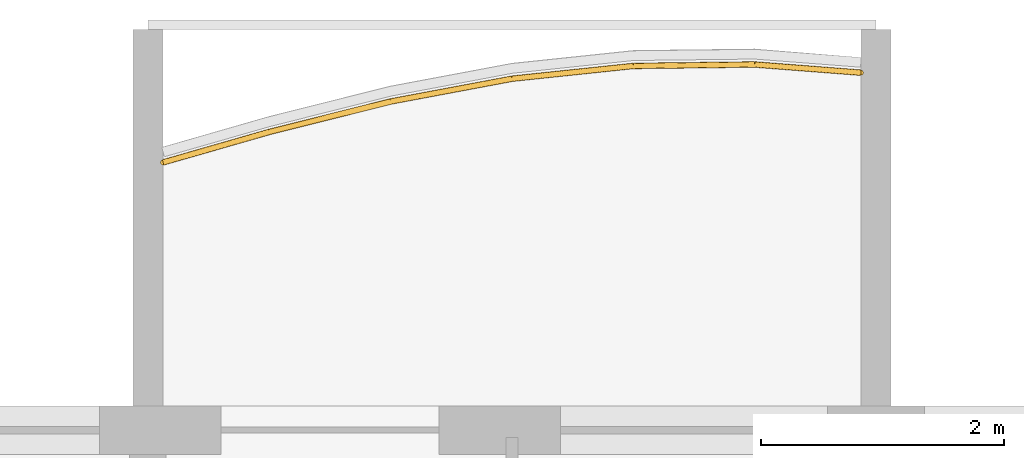
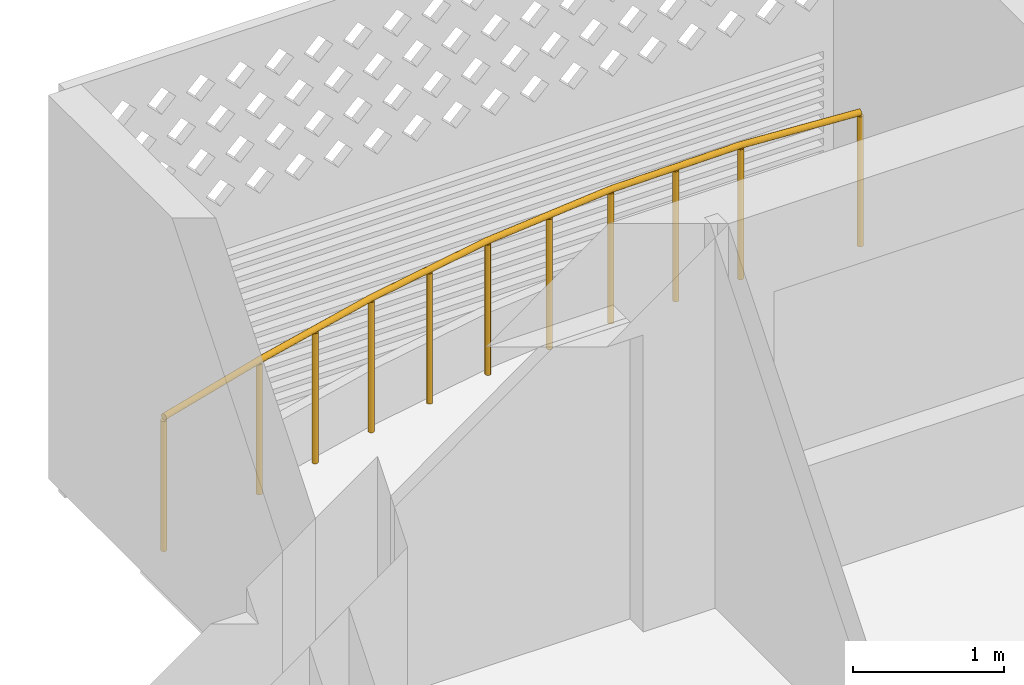
# One storey, part 20 of 31: 1 railing.
"""IFC4 building model written with IfcOpenShell, lengths in metres."""

import ifcopenshell
import ifcopenshell.guid

model = None  # the IFC model being written
_history = None  # IfcOwnerHistory: only IFC2X3 demands one
_inside = {}  # id of a spatial element -> (the spatial element, [elements in it])
_under = {}  # id of a project, library or spatial element -> (it, [spatial elements below it])
_declared = {}  # id of a project -> (the project, [libraries it declares])
_typed = {}  # id of a type object -> (the type object, [elements of that type])
_made_of = {}  # id of a material, layer set ... -> (it, [elements and type objects made of it])


def new_model(schema):
    """Start an empty IFC model of exactly this schema.

    Asked for "IFC4X3", IfcOpenShell would pick the latest addendum, in which some entities
    have other attributes; the version numbers below select the first issue.
    IFC2X3 requires an IfcOwnerHistory on every rooted entity: one is made here for all.
    """
    global model, _history
    if schema == "IFC4X3":
        model = ifcopenshell.file(schema_version=(4, 3, 0, 0))
    else:
        model = ifcopenshell.file(schema=schema)
    _inside.clear()
    _under.clear()
    _declared.clear()
    _typed.clear()
    _made_of.clear()
    _history = None
    if model.schema == "IFC2X3":
        org = make("IfcOrganization", Name="unknown")
        user = make(
            "IfcPersonAndOrganization",
            ThePerson=make("IfcPerson", FamilyName="unknown"),
            TheOrganization=org,
        )
        app = make(
            "IfcApplication",
            ApplicationDeveloper=org,
            Version="unknown",
            ApplicationFullName="unknown",
            ApplicationIdentifier="unknown",
        )
        _history = make(
            "IfcOwnerHistory",
            OwningUser=user,
            OwningApplication=app,
            ChangeAction="ADDED",
            CreationDate=0,
        )
    return model


def make(cls, **values):
    """One entity of the class cls with the attributes given. An attribute that is None is left unset."""
    return model.create_entity(
        cls, **{name: value for name, value in values.items() if value is not None}
    )


def rooted(cls, **values):
    """An entity with a GlobalId (a new one), such as an element, a storey or a relation."""
    return make(cls, GlobalId=ifcopenshell.guid.new(), OwnerHistory=_history, **values)


def si_unit(unit_type, name, prefix=None):
    """IfcSIUnit, for example si_unit("LENGTHUNIT", "METRE", prefix="MILLI")."""
    return make("IfcSIUnit", UnitType=unit_type, Prefix=prefix, Name=name)


def assignment(units):
    """IfcUnitAssignment: the units of a project."""
    return None if units is None else make("IfcUnitAssignment", Units=units)


def point(xyz):
    """IfcCartesianPoint."""
    return None if xyz is None else make("IfcCartesianPoint", Coordinates=xyz)


def direction(xyz):
    """IfcDirection."""
    return None if xyz is None else make("IfcDirection", DirectionRatios=xyz)


def frame(location, z_axis=None, x_axis=None):
    """IfcAxis2Placement3D, a coordinate frame: its origin and axes. An axis left out is left unset."""
    return make(
        "IfcAxis2Placement3D",
        Location=point(location),
        Axis=direction(z_axis),
        RefDirection=direction(x_axis),
    )


def frame_2d(location, x_axis=None):
    """IfcAxis2Placement2D, a coordinate frame in the plane: its origin and x axis."""
    return make(
        "IfcAxis2Placement2D", Location=point(location), RefDirection=direction(x_axis)
    )


def origin():
    """The frame at (0, 0, 0) with its axes left unset."""
    return frame((0.0, 0.0, 0.0))


def origin_2d():
    """The frame at (0, 0) in the plane with its x axis left unset."""
    return frame_2d((0.0, 0.0))


def place(relative_to, where):
    """IfcLocalPlacement: puts the frame where relative to a parent placement (None: the world)."""
    return make(
        "IfcLocalPlacement", PlacementRelTo=relative_to, RelativePlacement=where
    )


def context(
    kind, dimensions, precision=None, world=None, true_north=None, identifier=None
):
    """IfcGeometricRepresentationContext, for example the 3D "Model" context."""
    return make(
        "IfcGeometricRepresentationContext",
        ContextIdentifier=identifier,
        ContextType=kind,
        CoordinateSpaceDimension=dimensions,
        Precision=precision,
        WorldCoordinateSystem=world,
        TrueNorth=true_north,
    )


def subcontext(parent, identifier, kind, view, scale=None):
    """IfcGeometricRepresentationSubContext, for example "Body" below "Model"."""
    return make(
        "IfcGeometricRepresentationSubContext",
        ContextIdentifier=identifier,
        ContextType=kind,
        ParentContext=parent,
        TargetScale=scale,
        TargetView=view,
    )


def project(units=None, contexts=None):
    """IfcProject with its units and contexts."""
    return rooted(
        "IfcProject",
        Name="project",
        RepresentationContexts=contexts,
        UnitsInContext=assignment(units),
    )


def spatial(cls, under=None, at=None, **own):
    """A site, building, storey or space (cls), placed at a placement, below another one or the project."""
    s = rooted(cls, ObjectPlacement=at, **own)
    if under is not None:
        _under.setdefault(under.id(), (under, []))[1].append(s)
    return s


def profile(cls, at=None, kind="AREA", **sizes):
    """A parametric profile (cls). Its sizes go by their IFC names, for example OverallWidth=200.0."""
    return make(cls, ProfileType=kind, Position=at, **sizes)


def circle(**sizes):
    """IfcCircleProfileDef."""
    return profile("IfcCircleProfileDef", **sizes)


def extrude(swept, where, along, depth):
    """IfcExtrudedAreaSolid: the profile swept, set in the frame where, extruded along a direction by depth."""
    return make(
        "IfcExtrudedAreaSolid",
        SweptArea=swept,
        Position=where,
        ExtrudedDirection=direction(along),
        Depth=depth,
    )


def shape(context_of_items, identifier, shape_type, items):
    """IfcShapeRepresentation: the items that make up one representation, for example the "Body"."""
    return make(
        "IfcShapeRepresentation",
        ContextOfItems=context_of_items,
        RepresentationIdentifier=identifier,
        RepresentationType=shape_type,
        Items=items,
    )


def material(Name=None, Category=None):
    """IfcMaterial."""
    return make("IfcMaterial", Name=Name, Category=Category)


def made_of(thing, what):
    """Note that an element or type object is made of a material, layer set ...; save() writes the relation."""
    if what is not None:
        _made_of.setdefault(what.id(), (what, []))[1].append(thing)
    return thing


def type_object(cls, material=None, **own):
    """A type object (cls), such as IfcWallType, which elements share."""
    return made_of(rooted(cls, **own), material)


def element(
    cls,
    number,
    at=None,
    inside=None,
    cuts=None,
    type_object=None,
    material=None,
    context=None,
    identifier="Body",
    shape_type=None,
    held_by="IfcProductDefinitionShape",
    body=None,
    shapes=None,
    **own,
):
    """One element of the class cls, such as IfcWall. Its Tag is "e" and its number.

    at: its placement. inside: the storey or other place that contains it. cuts: it is an
    opening in that element (IfcRelVoidsElement). A single representation is given by context,
    identifier, shape_type and body (its items); several are given by shapes. held_by: the class
    of the entity that holds the representations. save() writes the other relations.
    """
    e = rooted(cls, Tag="e%d" % number, ObjectPlacement=at, **own)
    if body is not None:
        shapes = [shape(context, identifier, shape_type, body)]
    if shapes is not None:
        e.Representation = make(held_by, Representations=shapes)
    if inside is not None:
        _inside.setdefault(inside.id(), (inside, []))[1].append(e)
    if cuts is not None:
        rooted(
            "IfcRelVoidsElement", RelatingBuildingElement=cuts, RelatedOpeningElement=e
        )
    if type_object is not None:
        _typed.setdefault(type_object.id(), (type_object, []))[1].append(e)
    return made_of(e, material)


def aggregate(whole, parts):
    """IfcRelAggregates: a whole, such as a stair, and the parts it consists of."""
    return rooted("IfcRelAggregates", RelatingObject=whole, RelatedObjects=parts)


def save(model, path):
    """Write the relations noted so far, then the file.

    IfcRelAggregates (storeys below a building ...), IfcRelContainedInSpatialStructure (elements
    in a storey), IfcRelDefinesByType, IfcRelAssociatesMaterial and IfcRelDeclares: one each for
    every whole, place, type object, material and project.
    """
    for whole, parts in _under.values():
        aggregate(whole, parts)
    for where, things in _inside.values():
        rooted(
            "IfcRelContainedInSpatialStructure",
            RelatedElements=things,
            RelatingStructure=where,
        )
    for kind, things in _typed.values():
        rooted("IfcRelDefinesByType", RelatedObjects=things, RelatingType=kind)
    for what, things in _made_of.values():
        rooted("IfcRelAssociatesMaterial", RelatedObjects=things, RelatingMaterial=what)
    for by, libraries in _declared.values():
        rooted("IfcRelDeclares", RelatingContext=by, RelatedDefinitions=libraries)
    model.write(path)


model = new_model("IFC4")

# Units and contexts
model_context = context("Model", 3, precision=1e-05, world=origin(), true_north=direction((0.0, 1.0)))
body_context = subcontext(model_context, "Body", "Model", "MODEL_VIEW")
ifc_project = project(units=[si_unit("LENGTHUNIT", "METRE"), si_unit("AREAUNIT", "SQUARE_METRE"), si_unit("VOLUMEUNIT", "CUBIC_METRE"), si_unit("PLANEANGLEUNIT", "RADIAN"), si_unit("MASSUNIT", "GRAM", prefix="KILO")], contexts=[model_context])

# Site, building, storey
site_placement = place(None, origin())
site = spatial("IfcSite", under=ifc_project, at=site_placement, CompositionType="ELEMENT")
building_placement = place(site_placement, origin())
building = spatial("IfcBuilding", under=site, at=building_placement, Name="Poui Terraces", CompositionType="ELEMENT")
storey_placement = place(building_placement, frame((0.0, 0.0, 142.199951171875)))
storey = spatial("IfcBuildingStorey", under=building, at=storey_placement, Name="L39", CompositionType="ELEMENT", Elevation=142.199951171875)

# Railing
ifc_material = material(Name="Painted steel fretwork", Category="steel")
railing_type = type_object("IfcRailingType", Name="BALCONY GUARD 1100", PredefinedType="GUARDRAIL", material=ifc_material)
railing_placement = place(storey_placement, frame((36.125, 44.6064453125, 0.0)))
element("IfcRailing", 1, at=railing_placement, inside=storey, type_object=railing_type, Name="BALCONY GUARD", PredefinedType="GUARDRAIL", context=body_context, shape_type="SweptSolid", body=[
    extrude(circle(Radius=0.02392578125, at=origin_2d()), frame((0.0, 0.0, 1.076171875), z_axis=(0.961168944086, 0.275960614806, 0.0), x_axis=(-0.275960614806, 0.961168944086, 0.0)), (0.0, 0.0, 1.0), 0.910400390625),
    extrude(circle(Radius=0.02392578125, at=origin_2d()), frame((0.875, 0.251220703125, 1.076171875), z_axis=(0.969975109493, 0.243204208362, 0.0), x_axis=(-0.243204208362, 0.969975109493, 0.0)), (0.0, 0.0, 1.0), 1.031005859375),
    extrude(circle(Radius=0.02392578125, at=origin_2d()), frame((1.875, 0.501953125, 1.076171875), z_axis=(0.982828697247, 0.184520329146, 0.0), x_axis=(-0.184520329146, 0.982828697247, 0.0)), (0.0, 0.0, 1.0), 1.017578125),
    extrude(circle(Radius=0.02392578125, at=origin_2d()), frame((2.875, 0.689697265625, 1.076171875), z_axis=(0.994509443434, 0.104646867705, 0.0), x_axis=(-0.104646867705, 0.994509443434, 0.0)), (0.0, 0.0, 1.0), 1.005615234375),
    extrude(circle(Radius=0.02392578125, at=origin_2d()), frame((3.875, 0.794921875, 1.076171875), z_axis=(0.999928452303, 0.011962034708, 0.0), x_axis=(-0.011962034708, 0.999928452303, 0.0)), (0.0, 0.0, 1.0), 1.0),
    extrude(circle(Radius=0.02392578125, at=origin_2d()), frame((4.875, 0.806884765625, 1.076171875), z_axis=(0.997047936125, -0.076781593295, 0.0), x_axis=(0.076781593295, 0.997047936125, 0.0)), (0.0, 0.0, 1.0), 0.877685546875),
    extrude(circle(Radius=0.02099609375, at=origin_2d()), origin(), (0.0, 0.0, 1.0), 1.052001953125),
    extrude(circle(Radius=0.02099609375, at=origin_2d()), frame((0.875, 0.251220703125, 0.0)), (0.0, 0.0, 1.0), 1.052001953125),
    extrude(circle(Radius=0.02099609375, at=origin_2d()), frame((1.375, 0.37646484375, 0.0)), (0.0, 0.0, 1.0), 1.052001953125),
    extrude(circle(Radius=0.02099609375, at=origin_2d()), frame((1.875, 0.501953125, 0.0)), (0.0, 0.0, 1.0), 1.052001953125),
    extrude(circle(Radius=0.02099609375, at=origin_2d()), frame((2.375, 0.595703125, 0.0)), (0.0, 0.0, 1.0), 1.052001953125),
    extrude(circle(Radius=0.02099609375, at=origin_2d()), frame((2.875, 0.689697265625, 0.0)), (0.0, 0.0, 1.0), 1.052001953125),
    extrude(circle(Radius=0.02099609375, at=origin_2d()), frame((3.375, 0.7421875, 0.0)), (0.0, 0.0, 1.0), 1.052001953125),
    extrude(circle(Radius=0.02099609375, at=origin_2d()), frame((3.875, 0.794921875, 0.0)), (0.0, 0.0, 1.0), 1.052001953125),
    extrude(circle(Radius=0.02099609375, at=origin_2d()), frame((4.375, 0.80078125, 0.0)), (0.0, 0.0, 1.0), 1.052001953125),
    extrude(circle(Radius=0.02099609375, at=origin_2d()), frame((4.875, 0.806884765625, 0.0)), (0.0, 0.0, 1.0), 1.052001953125),
    extrude(circle(Radius=0.02099609375, at=origin_2d()), frame((5.75, 0.739501953125, 0.0)), (0.0, 0.0, 1.0), 1.052001953125),
])

save(model, "model.ifc")
